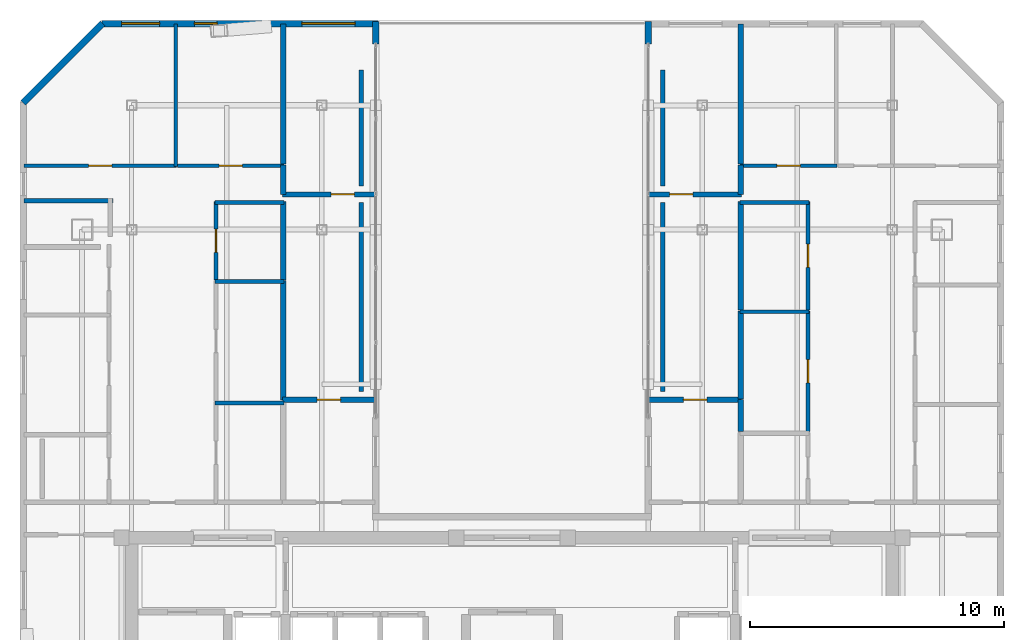
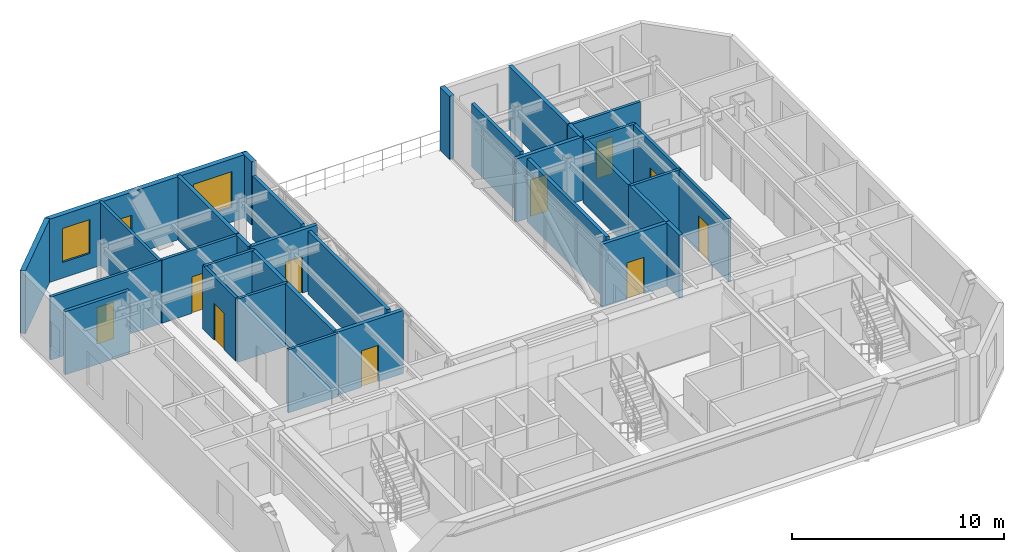
# One storey, part 11 of 14: 34 walls, 10 doors, 3 windows, 13 openings.
"""IFC4 building model written with IfcOpenShell, lengths in metres."""

from ifc_helpers import new_model, si_unit, direction, frame, frame_2d, origin, place, context, subcontext, project, spatial, rectangle, extrude, material, layer, layer_set, type_object, element, fill, save


model = new_model("IFC4")

# Units and contexts
model_context = context("Model", 3, precision=1e-05, world=origin(), true_north=direction((0.0, 1.0)))
body_context = subcontext(model_context, "Body", "Model", "MODEL_VIEW")
ifc_project = project(units=[si_unit("LENGTHUNIT", "METRE"), si_unit("AREAUNIT", "SQUARE_METRE"), si_unit("VOLUMEUNIT", "CUBIC_METRE"), si_unit("PLANEANGLEUNIT", "RADIAN"), si_unit("MASSUNIT", "GRAM", prefix="KILO")], contexts=[model_context])

# Site, building, storey
site_placement = place(None, origin())
site = spatial("IfcSite", under=ifc_project, at=site_placement, CompositionType="ELEMENT")
building_placement = place(site_placement, origin())
building = spatial("IfcBuilding", under=site, at=building_placement, Name="Ventersveld Concourse Tower", CompositionType="ELEMENT")
storey_placement = place(building_placement, frame((0.0, 0.0, 337.5)))
storey = spatial("IfcBuildingStorey", under=building, at=storey_placement, Name="L83", CompositionType="ELEMENT", Elevation=337.5)

# Walls
ifc_material_1 = material(Name="Fire-rated autoclaved aerated masonry blockwork", Category="masonry")
ifc_layer_1 = layer(ifc_material_1, 0.179931640625)
ifc_layer_set_1 = layer_set([ifc_layer_1], Name="Fire-rated autoclaved aerated masonry blockwork")
wall_type_1 = type_object("IfcWallType", Name="WL-CORR-180", PredefinedType="PARTITIONING", material=ifc_layer_set_1)
wall_1_placement = place(storey_placement, frame((22.800048828125, 24.6650390625, 0.0), z_axis=(0.0, 0.0, 1.0), x_axis=(0.0, -1.0, 0.0)))
element("IfcWall", 1, at=wall_1_placement, inside=storey, type_object=wall_type_1, Name="L83 Room Enclosure Wall SP-L83-WPLNG-WN1", PredefinedType="PARTITIONING", context=body_context, shape_type="SweptSolid", body=[
    extrude(rectangle(XDim=7.448486328125, YDim=0.179931640625, at=frame_2d((3.72412109375, 0.0))), origin(), (0.0, 0.0, 1.0), 3.6298828125),
])
wall_2_placement = place(storey_placement, frame((22.800048828125, 29.897216796875, 0.0), z_axis=(0.0, 0.0, 1.0), x_axis=(0.0, -1.0, 0.0)))
element("IfcWall", 2, at=wall_2_placement, inside=storey, type_object=wall_type_1, Name="L83 Room Enclosure Wall SP-L83-WPLNG-WN2", PredefinedType="PARTITIONING", context=body_context, shape_type="SweptSolid", body=[
    extrude(rectangle(XDim=4.582275390625, YDim=0.179931640625, at=frame_2d((2.291015625, 0.0))), origin(), (0.0, 0.0, 1.0), 3.6298828125),
])
wall_3_placement = place(storey_placement, frame((34.699951171875, 17.216552734375, 0.0), z_axis=(0.0, 0.0, 1.0), x_axis=(0.0, 1.0, 0.0)))
element("IfcWall", 3, at=wall_3_placement, inside=storey, type_object=wall_type_1, Name="L83 Room Enclosure Wall SP-L83-WPLNG-EN1", PredefinedType="PARTITIONING", context=body_context, shape_type="SweptSolid", body=[
    extrude(rectangle(XDim=7.448486328125, YDim=0.179931640625, at=frame_2d((3.72412109375, 0.0))), origin(), (0.0, 0.0, 1.0), 3.6298828125),
])
wall_4_placement = place(storey_placement, frame((34.699951171875, 25.31494140625, 0.0), z_axis=(0.0, 0.0, 1.0), x_axis=(0.0, 1.0, 0.0)))
element("IfcWall", 4, at=wall_4_placement, inside=storey, type_object=wall_type_1, Name="L83 Room Enclosure Wall SP-L83-WPLNG-EN2", PredefinedType="PARTITIONING", context=body_context, shape_type="SweptSolid", body=[
    extrude(rectangle(XDim=4.582275390625, YDim=0.179931640625, at=frame_2d((2.291015625, 0.0))), origin(), (0.0, 0.0, 1.0), 3.6298828125),
])
wall_5_placement = place(storey_placement, frame((13.009521484375, 24.73388671875, 0.0), z_axis=(0.0, 0.0, 1.0), x_axis=(-1.0, 0.0, 0.0)))
element("IfcWall", 5, at=wall_5_placement, inside=storey, type_object=wall_type_1, Name="L83 Room Enclosure Wall SP-L83-83WA-LIV", PredefinedType="PARTITIONING", context=body_context, shape_type="SweptSolid", body=[
    extrude(rectangle(XDim=3.51171875, YDim=0.179931640625, at=frame_2d((1.755859375, 0.0))), origin(), (0.0, 0.0, 1.0), 3.6298828125),
])

# Wall, opening, door
ifc_layer_2 = layer(ifc_material_1, 0.199951171875)
ifc_layer_set_2 = layer_set([ifc_layer_2], Name="Fire-rated autoclaved aerated masonry blockwork")
wall_type_2 = type_object("IfcWallType", Name="WL-DEMISE-200", PredefinedType="PARTITIONING", material=ifc_layer_set_2)
wall_6_placement = place(storey_placement, frame((19.705078125, 16.889892578125, 0.0), z_axis=(0.0, 0.0, 1.0), x_axis=(1.0, 0.0, 0.0)))
wall_6 = element("IfcWall", 6, at=wall_6_placement, inside=storey, type_object=wall_type_2, Name="L83 Interior Partition SP-L83-WPLNG-W-SP-L83-WPLNG-WN1", PredefinedType="PARTITIONING", context=body_context, shape_type="SweptSolid", body=[
    extrude(rectangle(XDim=3.64697265625, YDim=0.199951171875, at=frame_2d((1.823486328125, 0.0))), origin(), (0.0, 0.0, 1.0), 3.6298828125),
])
opening_1_placement = place(wall_6_placement, frame((1.363525390625, 0.0, 0.0)))
opening_1 = element("IfcOpeningElement", 7, at=opening_1_placement, cuts=wall_6, Name="Opening ID1", PredefinedType="OPENING", context=body_context, shape_type="SweptSolid", body=[
    extrude(rectangle(XDim=0.919921875, YDim=2.10009765625, at=frame_2d((0.4599609375, 1.050048828125))), frame((0.0, 0.10986328125, 0.0), z_axis=(0.0, -1.0, 0.0), x_axis=(1.0, 0.0, 0.0)), (0.0, 0.0, 1.0), 0.219970703125),
])
ifc_material_2 = material(Name="Solid-core hardwood veneer timber", Category="wood")
door_type = type_object("IfcDoorType", Name="DR-ROOM-092", OperationType="NOTDEFINED", PredefinedType="DOOR", material=ifc_material_2)
door_1_placement = place(opening_1_placement, origin())
door_1 = element("IfcDoor", 8, at=door_1_placement, inside=storey, type_object=door_type, Name="L83 Interior Door SP-L83-WPLNG-W to SP-L83-WPLNG-WN1 (D-L83-3747)", OperationType="SINGLE_SWING_LEFT", OverallHeight=2.10009765625, OverallWidth=0.919921875, PredefinedType="DOOR", context=body_context, shape_type="SweptSolid", body=[
    extrude(rectangle(XDim=0.919921875, YDim=2.10009765625, at=frame_2d((0.4599609375, 1.050048828125))), frame((0.0, 0.02490234375, 0.0), z_axis=(0.0, -1.0, 0.0), x_axis=(1.0, 0.0, 0.0)), (0.0, 0.0, 1.0), 0.050048828125),
])
fill(opening_1, door_1)

wall_7_placement = place(storey_placement, frame((19.705078125, 24.989990234375, 0.0), z_axis=(0.0, 0.0, 1.0), x_axis=(1.0, 0.0, 0.0)))
wall_7 = element("IfcWall", 9, at=wall_7_placement, inside=storey, type_object=wall_type_2, Name="L83 Interior Partition SP-L83-WPLNG-WN1-SP-L83-WPLNG-WN2", PredefinedType="PARTITIONING", context=body_context, shape_type="SweptSolid", body=[
    extrude(rectangle(XDim=3.645751953125, YDim=0.199951171875, at=frame_2d((1.82275390625, 0.0))), origin(), (0.0, 0.0, 1.0), 3.6298828125),
])
opening_2_placement = place(wall_7_placement, frame((1.909912109375, 0.0, 0.0)))
opening_2 = element("IfcOpeningElement", 10, at=opening_2_placement, cuts=wall_7, Name="Opening ID1", PredefinedType="OPENING", context=body_context, shape_type="SweptSolid", body=[
    extrude(rectangle(XDim=0.919921875, YDim=2.10009765625, at=frame_2d((0.4599609375, 1.050048828125))), frame((0.0, 0.10986328125, 0.0), z_axis=(0.0, -1.0, 0.0), x_axis=(1.0, 0.0, 0.0)), (0.0, 0.0, 1.0), 0.219970703125),
])
door_2_placement = place(opening_2_placement, origin())
door_2 = element("IfcDoor", 11, at=door_2_placement, inside=storey, type_object=door_type, Name="L83 Interior Door SP-L83-WPLNG-WN1 to SP-L83-WPLNG-WN2 (D-L83-3748)", OperationType="SINGLE_SWING_RIGHT", OverallHeight=2.10009765625, OverallWidth=0.919921875, PredefinedType="DOOR", context=body_context, shape_type="SweptSolid", body=[
    extrude(rectangle(XDim=0.919921875, YDim=2.10009765625, at=frame_2d((0.4599609375, 1.050048828125))), frame((0.0, 0.02490234375, 0.0), z_axis=(0.0, -1.0, 0.0), x_axis=(1.0, 0.0, 0.0)), (0.0, 0.0, 1.0), 0.050048828125),
])
fill(opening_2, door_2)

# Walls
wall_8_placement = place(storey_placement, frame((19.72998046875, 16.885009765625, 0.0), z_axis=(0.0, 0.0, 1.0), x_axis=(0.0, 1.0, 0.0)))
element("IfcWall", 12, at=wall_8_placement, inside=storey, type_object=wall_type_2, Name="L83 Interior Partition SP-L83-WPLNG-WN1-SP-L83-83WA-MEDR1", PredefinedType="PARTITIONING", context=body_context, shape_type="SweptSolid", body=[
    extrude(rectangle(XDim=4.698486328125, YDim=0.199951171875, at=frame_2d((2.34912109375, 0.0))), origin(), (0.0, 0.0, 1.0), 3.6298828125),
])
wall_9_placement = place(storey_placement, frame((19.72998046875, 21.613525390625, 0.0), z_axis=(0.0, 0.0, 1.0), x_axis=(0.0, 1.0, 0.0)))
element("IfcWall", 13, at=wall_9_placement, inside=storey, type_object=wall_type_2, Name="L83 Interior Partition SP-L83-WPLNG-WN1-SP-L83-83WA-SEMR3", PredefinedType="PARTITIONING", context=body_context, shape_type="SweptSolid", body=[
    extrude(rectangle(XDim=3.09521484375, YDim=0.199951171875, at=frame_2d((1.547607421875, 0.0))), origin(), (0.0, 0.0, 1.0), 3.6298828125),
])
wall_10_placement = place(storey_placement, frame((19.72998046875, 24.985107421875, 0.0), z_axis=(0.0, 0.0, 1.0), x_axis=(0.0, 1.0, 0.0)))
element("IfcWall", 14, at=wall_10_placement, inside=storey, type_object=wall_type_2, Name="L83 Interior Partition SP-L83-WPLNG-WN2-SP-L83-83WA-LIV", PredefinedType="PARTITIONING", context=body_context, shape_type="SweptSolid", body=[
    extrude(rectangle(XDim=1.16357421875, YDim=0.199951171875, at=frame_2d((0.581787109375, 0.0))), origin(), (0.0, 0.0, 1.0), 3.6298828125),
])
wall_11_placement = place(storey_placement, frame((19.72998046875, 26.1787109375, 0.0), z_axis=(0.0, 0.0, 1.0), x_axis=(0.0, 1.0, 0.0)))
element("IfcWall", 15, at=wall_11_placement, inside=storey, type_object=wall_type_2, Name="L83 Interior Partition SP-L83-WPLNG-WN2-SP-L83-83WA-BR2", PredefinedType="PARTITIONING", context=body_context, shape_type="SweptSolid", body=[
    extrude(rectangle(XDim=5.525634765625, YDim=0.199951171875, at=frame_2d((2.7626953125, 0.0))), origin(), (0.0, 0.0, 1.0), 3.6298828125),
])

# Wall, opening, door
wall_12_placement = place(storey_placement, frame((34.14794921875, 16.889892578125, 0.0), z_axis=(0.0, 0.0, 1.0), x_axis=(1.0, 0.0, 0.0)))
wall_12 = element("IfcWall", 16, at=wall_12_placement, inside=storey, type_object=wall_type_2, Name="L83 Interior Partition SP-L83-WPLNG-E-SP-L83-WPLNG-EN1", PredefinedType="PARTITIONING", context=body_context, shape_type="SweptSolid", body=[
    extrude(rectangle(XDim=3.64697265625, YDim=0.199951171875, at=frame_2d((1.823486328125, 0.0))), origin(), (0.0, 0.0, 1.0), 3.6298828125),
])
opening_3_placement = place(wall_12_placement, frame((1.363525390625, 0.0, 0.0)))
opening_3 = element("IfcOpeningElement", 17, at=opening_3_placement, cuts=wall_12, Name="Opening ID1", PredefinedType="OPENING", context=body_context, shape_type="SweptSolid", body=[
    extrude(rectangle(XDim=0.919921875, YDim=2.10009765625, at=frame_2d((0.4599609375, 1.050048828125))), frame((0.0, 0.10986328125, 0.0), z_axis=(0.0, -1.0, 0.0), x_axis=(1.0, 0.0, 0.0)), (0.0, 0.0, 1.0), 0.219970703125),
])
door_3_placement = place(opening_3_placement, origin())
door_3 = element("IfcDoor", 18, at=door_3_placement, inside=storey, type_object=door_type, Name="L83 Interior Door SP-L83-WPLNG-E to SP-L83-WPLNG-EN1 (D-L83-3749)", OperationType="SINGLE_SWING_LEFT", OverallHeight=2.10009765625, OverallWidth=0.919921875, PredefinedType="DOOR", context=body_context, shape_type="SweptSolid", body=[
    extrude(rectangle(XDim=0.919921875, YDim=2.10009765625, at=frame_2d((0.4599609375, 1.050048828125))), frame((0.0, 0.02490234375, 0.0), z_axis=(0.0, -1.0, 0.0), x_axis=(1.0, 0.0, 0.0)), (0.0, 0.0, 1.0), 0.050048828125),
])
fill(opening_3, door_3)

# Wall
wall_13_placement = place(storey_placement, frame((37.77001953125, 15.636962890625, 0.0), z_axis=(0.0, 0.0, 1.0), x_axis=(0.0, 1.0, 0.0)))
element("IfcWall", 19, at=wall_13_placement, inside=storey, type_object=wall_type_2, Name="L83 Interior Partition SP-L83-WPLNG-E-SP-L83-83EB-MEDL0", PredefinedType="PARTITIONING", context=body_context, shape_type="SweptSolid", body=[
    extrude(rectangle(XDim=1.258056640625, YDim=0.199951171875, at=frame_2d((0.62890625, 0.0))), origin(), (0.0, 0.0, 1.0), 3.6298828125),
])

# Wall, opening, door
wall_14_placement = place(storey_placement, frame((34.149169921875, 24.989990234375, 0.0), z_axis=(0.0, 0.0, 1.0), x_axis=(1.0, 0.0, 0.0)))
wall_14 = element("IfcWall", 20, at=wall_14_placement, inside=storey, type_object=wall_type_2, Name="L83 Interior Partition SP-L83-WPLNG-EN1-SP-L83-WPLNG-EN2", PredefinedType="PARTITIONING", context=body_context, shape_type="SweptSolid", body=[
    extrude(rectangle(XDim=3.645751953125, YDim=0.199951171875, at=frame_2d((1.82275390625, 0.0))), origin(), (0.0, 0.0, 1.0), 3.6298828125),
])
opening_4_placement = place(wall_14_placement, frame((0.81591796875, 0.0, 0.0)))
opening_4 = element("IfcOpeningElement", 21, at=opening_4_placement, cuts=wall_14, Name="Opening ID1", PredefinedType="OPENING", context=body_context, shape_type="SweptSolid", body=[
    extrude(rectangle(XDim=0.919921875, YDim=2.10009765625, at=frame_2d((0.4599609375, 1.050048828125))), frame((0.0, 0.10986328125, 0.0), z_axis=(0.0, -1.0, 0.0), x_axis=(1.0, 0.0, 0.0)), (0.0, 0.0, 1.0), 0.219970703125),
])
door_4_placement = place(opening_4_placement, origin())
door_4 = element("IfcDoor", 22, at=door_4_placement, inside=storey, type_object=door_type, Name="L83 Interior Door SP-L83-WPLNG-EN1 to SP-L83-WPLNG-EN2 (D-L83-3750)", OperationType="SINGLE_SWING_RIGHT", OverallHeight=2.10009765625, OverallWidth=0.919921875, PredefinedType="DOOR", context=body_context, shape_type="SweptSolid", body=[
    extrude(rectangle(XDim=0.919921875, YDim=2.10009765625, at=frame_2d((0.4599609375, 1.050048828125))), frame((0.0, 0.02490234375, 0.0), z_axis=(0.0, -1.0, 0.0), x_axis=(1.0, 0.0, 0.0)), (0.0, 0.0, 1.0), 0.050048828125),
])
fill(opening_4, door_4)

# Walls
wall_15_placement = place(storey_placement, frame((37.77001953125, 16.925048828125, 0.0), z_axis=(0.0, 0.0, 1.0), x_axis=(0.0, 1.0, 0.0)))
element("IfcWall", 23, at=wall_15_placement, inside=storey, type_object=wall_type_2, Name="L83 Interior Partition SP-L83-WPLNG-EN1-SP-L83-83EB-MEDL0", PredefinedType="PARTITIONING", context=body_context, shape_type="SweptSolid", body=[
    extrude(rectangle(XDim=3.4716796875, YDim=0.199951171875, at=frame_2d((1.73583984375, 0.0))), origin(), (0.0, 0.0, 1.0), 3.6298828125),
])
wall_16_placement = place(storey_placement, frame((37.77001953125, 20.4267578125, 0.0), z_axis=(0.0, 0.0, 1.0), x_axis=(0.0, 1.0, 0.0)))
element("IfcWall", 24, at=wall_16_placement, inside=storey, type_object=wall_type_2, Name="L83 Interior Partition SP-L83-WPLNG-EN1-SP-L83-83EB-MEDL2", PredefinedType="PARTITIONING", context=body_context, shape_type="SweptSolid", body=[
    extrude(rectangle(XDim=4.281982421875, YDim=0.199951171875, at=frame_2d((2.14111328125, 0.0))), origin(), (0.0, 0.0, 1.0), 3.6298828125),
])
wall_17_placement = place(storey_placement, frame((37.77001953125, 24.985107421875, 0.0), z_axis=(0.0, 0.0, 1.0), x_axis=(0.0, 1.0, 0.0)))
element("IfcWall", 25, at=wall_17_placement, inside=storey, type_object=wall_type_2, Name="L83 Interior Partition SP-L83-WPLNG-EN2-SP-L83-83EB-LIV", PredefinedType="PARTITIONING", context=body_context, shape_type="SweptSolid", body=[
    extrude(rectangle(XDim=1.16357421875, YDim=0.199951171875, at=frame_2d((0.581787109375, 0.0))), origin(), (0.0, 0.0, 1.0), 3.6298828125),
])
wall_18_placement = place(storey_placement, frame((37.77001953125, 26.1787109375, 0.0), z_axis=(0.0, 0.0, 1.0), x_axis=(0.0, 1.0, 0.0)))
element("IfcWall", 26, at=wall_18_placement, inside=storey, type_object=wall_type_2, Name="L83 Interior Partition SP-L83-WPLNG-EN2-SP-L83-83EB-BR1", PredefinedType="PARTITIONING", context=body_context, shape_type="SweptSolid", body=[
    extrude(rectangle(XDim=5.525634765625, YDim=0.199951171875, at=frame_2d((2.7626953125, 0.0))), origin(), (0.0, 0.0, 1.0), 3.6298828125),
])

# Wall, opening, door
ifc_material_3 = material(Name="Autoclaved aerated masonry blockwork", Category="masonry")
ifc_layer_3 = layer(ifc_material_3, 0.14990234375)
ifc_layer_set_3 = layer_set([ifc_layer_3], Name="Autoclaved aerated masonry blockwork")
wall_type_3 = type_object("IfcWallType", Name="WL-INT-150", PredefinedType="PARTITIONING", material=ifc_layer_set_3)
wall_19_placement = place(storey_placement, frame((17.072998046875, 21.613525390625, 0.0), z_axis=(0.0, 0.0, 1.0), x_axis=(0.0, 1.0, 0.0)))
wall_19 = element("IfcWall", 27, at=wall_19_placement, inside=storey, type_object=wall_type_3, Name="L83 Interior Partition SP-L83-83WA-LIV-SP-L83-83WA-SEMR3", PredefinedType="PARTITIONING", context=body_context, shape_type="SweptSolid", body=[
    extrude(rectangle(XDim=3.09521484375, YDim=0.14990234375, at=frame_2d((1.547607421875, 0.0))), origin(), (0.0, 0.0, 1.0), 3.6298828125),
])
opening_5_placement = place(wall_19_placement, frame((1.087646484375, 0.0, 0.0)))
opening_5 = element("IfcOpeningElement", 28, at=opening_5_placement, cuts=wall_19, Name="Opening ID1", PredefinedType="OPENING", context=body_context, shape_type="SweptSolid", body=[
    extrude(rectangle(XDim=0.919921875, YDim=2.10009765625, at=frame_2d((0.4599609375, 1.050048828125))), frame((0.0, 0.0849609375, 0.0), z_axis=(0.0, -1.0, 0.0), x_axis=(1.0, 0.0, 0.0)), (0.0, 0.0, 1.0), 0.169921875),
])
door_5_placement = place(opening_5_placement, origin())
door_5 = element("IfcDoor", 29, at=door_5_placement, inside=storey, type_object=door_type, Name="L83 Interior Door SP-L83-83WA-LIV to SP-L83-83WA-SEMR3 (D-L83-3756)", OperationType="SINGLE_SWING_RIGHT", OverallHeight=2.10009765625, OverallWidth=0.919921875, PredefinedType="DOOR", context=body_context, shape_type="SweptSolid", body=[
    extrude(rectangle(XDim=0.919921875, YDim=2.10009765625, at=frame_2d((0.4599609375, 1.050048828125))), frame((0.0, 0.02490234375, 0.0), z_axis=(0.0, -1.0, 0.0), x_axis=(1.0, 0.0, 0.0)), (0.0, 0.0, 1.0), 0.050048828125),
])
fill(opening_5, door_5)

# Wall
wall_20_placement = place(storey_placement, frame((17.0380859375, 24.673828125, 0.0), z_axis=(0.0, 0.0, 1.0), x_axis=(1.0, 0.0, 0.0)))
element("IfcWall", 30, at=wall_20_placement, inside=storey, type_object=wall_type_3, Name="L83 Interior Partition SP-L83-83WA-LIV-SP-L83-83WA-SEMR3", PredefinedType="PARTITIONING", context=body_context, shape_type="SweptSolid", body=[
    extrude(rectangle(XDim=2.716796875, YDim=0.14990234375, at=frame_2d((1.3583984375, 0.0))), origin(), (0.0, 0.0, 1.0), 3.6298828125),
])

# Wall, opening, door
wall_21_placement = place(storey_placement, frame((9.497802734375, 26.11376953125, 0.0), z_axis=(0.0, 0.0, 1.0), x_axis=(1.0, 0.0, 0.0)))
wall_21 = element("IfcWall", 31, at=wall_21_placement, inside=storey, type_object=wall_type_3, Name="L83 Interior Partition SP-L83-83WA-LIV-SP-L83-83WA-BR1", PredefinedType="PARTITIONING", context=body_context, shape_type="SweptSolid", body=[
    extrude(rectangle(XDim=6.029052734375, YDim=0.14990234375, at=frame_2d((3.0146484375, 0.0))), origin(), (0.0, 0.0, 1.0), 3.6298828125),
])
opening_6_placement = place(wall_21_placement, frame((2.554443359375, 0.0, 0.0)))
opening_6 = element("IfcOpeningElement", 32, at=opening_6_placement, cuts=wall_21, Name="Opening ID1", PredefinedType="OPENING", context=body_context, shape_type="SweptSolid", body=[
    extrude(rectangle(XDim=0.919921875, YDim=2.10009765625, at=frame_2d((0.4599609375, 1.050048828125))), frame((0.0, 0.0849609375, 0.0), z_axis=(0.0, -1.0, 0.0), x_axis=(1.0, 0.0, 0.0)), (0.0, 0.0, 1.0), 0.169921875),
])
door_6_placement = place(opening_6_placement, origin())
door_6 = element("IfcDoor", 33, at=door_6_placement, inside=storey, type_object=door_type, Name="L83 Interior Door SP-L83-83WA-LIV to SP-L83-83WA-BR1 (D-L83-3757)", OperationType="SINGLE_SWING_LEFT", OverallHeight=2.10009765625, OverallWidth=0.919921875, PredefinedType="DOOR", context=body_context, shape_type="SweptSolid", body=[
    extrude(rectangle(XDim=0.919921875, YDim=2.10009765625, at=frame_2d((0.4599609375, 1.050048828125))), frame((0.0, 0.02490234375, 0.0), z_axis=(0.0, -1.0, 0.0), x_axis=(1.0, 0.0, 0.0)), (0.0, 0.0, 1.0), 0.050048828125),
])
fill(opening_6, door_6)

wall_22_placement = place(storey_placement, frame((15.556884765625, 26.11376953125, 0.0), z_axis=(0.0, 0.0, 1.0), x_axis=(1.0, 0.0, 0.0)))
wall_22 = element("IfcWall", 34, at=wall_22_placement, inside=storey, type_object=wall_type_3, Name="L83 Interior Partition SP-L83-83WA-LIV-SP-L83-83WA-BR2", PredefinedType="PARTITIONING", context=body_context, shape_type="SweptSolid", body=[
    extrude(rectangle(XDim=4.197998046875, YDim=0.14990234375, at=frame_2d((2.09912109375, 0.0))), origin(), (0.0, 0.0, 1.0), 3.6298828125),
])
opening_7_placement = place(wall_22_placement, frame((1.63916015625, 0.0, 0.0)))
opening_7 = element("IfcOpeningElement", 35, at=opening_7_placement, cuts=wall_22, Name="Opening ID1", PredefinedType="OPENING", context=body_context, shape_type="SweptSolid", body=[
    extrude(rectangle(XDim=0.919921875, YDim=2.10009765625, at=frame_2d((0.4599609375, 1.050048828125))), frame((0.0, 0.0849609375, 0.0), z_axis=(0.0, -1.0, 0.0), x_axis=(1.0, 0.0, 0.0)), (0.0, 0.0, 1.0), 0.169921875),
])
door_7_placement = place(opening_7_placement, origin())
door_7 = element("IfcDoor", 36, at=door_7_placement, inside=storey, type_object=door_type, Name="L83 Interior Door SP-L83-83WA-LIV to SP-L83-83WA-BR2 (D-L83-3758)", OperationType="SINGLE_SWING_RIGHT", OverallHeight=2.10009765625, OverallWidth=0.919921875, PredefinedType="DOOR", context=body_context, shape_type="SweptSolid", body=[
    extrude(rectangle(XDim=0.919921875, YDim=2.10009765625, at=frame_2d((0.4599609375, 1.050048828125))), frame((0.0, 0.02490234375, 0.0), z_axis=(0.0, -1.0, 0.0), x_axis=(1.0, 0.0, 0.0)), (0.0, 0.0, 1.0), 0.050048828125),
])
fill(opening_7, door_7)

# Walls
for number, where, z_axis, x_axis, name in (
    (37, (17.0380859375, 16.759033203125, 0.0), (0.0, 0.0, 1.0), (1.0, 0.0, 0.0), "L83 Interior Partition SP-L83-83WA-KIT-SP-L83-83WA-MEDR1"),
    (38, (17.0380859375, 21.548583984375, 0.0), (0.0, 0.0, 1.0), (1.0, 0.0, 0.0), "L83 Interior Partition SP-L83-83WA-MEDR1-SP-L83-83WA-SEMR3"),
):
    element("IfcWall", number, at=place(storey_placement, frame(where, z_axis=z_axis, x_axis=x_axis)), inside=storey, type_object=wall_type_3, Name=name, PredefinedType="PARTITIONING", context=body_context, shape_type="SweptSolid", body=[
        extrude(rectangle(XDim=2.716796875, YDim=0.14990234375, at=frame_2d((1.3583984375, 0.0))), origin(), (0.0, 0.0, 1.0), 3.6298828125),
    ])
wall_23_placement = place(storey_placement, frame((15.491943359375, 26.078857421875, 0.0), z_axis=(0.0, 0.0, 1.0), x_axis=(0.0, 1.0, 0.0)))
element("IfcWall", 39, at=wall_23_placement, inside=storey, type_object=wall_type_3, Name="L83 Interior Partition SP-L83-83WA-BR1-SP-L83-83WA-BR2", PredefinedType="PARTITIONING", context=body_context, shape_type="SweptSolid", body=[
    extrude(rectangle(XDim=5.62548828125, YDim=0.14990234375, at=frame_2d((2.812744140625, 0.0))), origin(), (0.0, 0.0, 1.0), 3.6298828125),
])

# Wall, opening, door
wall_24_placement = place(storey_placement, frame((40.427001953125, 15.636962890625, 0.0), z_axis=(0.0, 0.0, 1.0), x_axis=(0.0, 1.0, 0.0)))
wall_24 = element("IfcWall", 40, at=wall_24_placement, inside=storey, type_object=wall_type_3, Name="L83 Interior Partition SP-L83-83EB-LIV-SP-L83-83EB-MEDL0", PredefinedType="PARTITIONING", context=body_context, shape_type="SweptSolid", body=[
    extrude(rectangle(XDim=4.759765625, YDim=0.14990234375, at=frame_2d((2.3798828125, 0.0))), origin(), (0.0, 0.0, 1.0), 3.6298828125),
])
opening_8_placement = place(wall_24_placement, frame((1.919921875, 0.0, 0.0)))
opening_8 = element("IfcOpeningElement", 41, at=opening_8_placement, cuts=wall_24, Name="Opening ID1", PredefinedType="OPENING", context=body_context, shape_type="SweptSolid", body=[
    extrude(rectangle(XDim=0.919921875, YDim=2.10009765625, at=frame_2d((0.4599609375, 1.050048828125))), frame((0.0, 0.0849609375, 0.0), z_axis=(0.0, -1.0, 0.0), x_axis=(1.0, 0.0, 0.0)), (0.0, 0.0, 1.0), 0.169921875),
])
door_8_placement = place(opening_8_placement, origin())
door_8 = element("IfcDoor", 42, at=door_8_placement, inside=storey, type_object=door_type, Name="L83 Interior Door SP-L83-83EB-LIV to SP-L83-83EB-MEDL0 (D-L83-3760)", OperationType="SINGLE_SWING_RIGHT", OverallHeight=2.10009765625, OverallWidth=0.919921875, PredefinedType="DOOR", context=body_context, shape_type="SweptSolid", body=[
    extrude(rectangle(XDim=0.919921875, YDim=2.10009765625, at=frame_2d((0.4599609375, 1.050048828125))), frame((0.0, 0.02490234375, 0.0), z_axis=(0.0, -1.0, 0.0), x_axis=(1.0, 0.0, 0.0)), (0.0, 0.0, 1.0), 0.050048828125),
])
fill(opening_8, door_8)

wall_25_placement = place(storey_placement, frame((40.427001953125, 20.4267578125, 0.0), z_axis=(0.0, 0.0, 1.0), x_axis=(0.0, 1.0, 0.0)))
wall_25 = element("IfcWall", 43, at=wall_25_placement, inside=storey, type_object=wall_type_3, Name="L83 Interior Partition SP-L83-83EB-LIV-SP-L83-83EB-MEDL2", PredefinedType="PARTITIONING", context=body_context, shape_type="SweptSolid", body=[
    extrude(rectangle(XDim=4.281982421875, YDim=0.14990234375, at=frame_2d((2.14111328125, 0.0))), origin(), (0.0, 0.0, 1.0), 3.6298828125),
])
opening_9_placement = place(wall_25_placement, frame((1.680908203125, 0.0, 0.0)))
opening_9 = element("IfcOpeningElement", 44, at=opening_9_placement, cuts=wall_25, Name="Opening ID1", PredefinedType="OPENING", context=body_context, shape_type="SweptSolid", body=[
    extrude(rectangle(XDim=0.919921875, YDim=2.10009765625, at=frame_2d((0.4599609375, 1.050048828125))), frame((0.0, 0.0849609375, 0.0), z_axis=(0.0, -1.0, 0.0), x_axis=(1.0, 0.0, 0.0)), (0.0, 0.0, 1.0), 0.169921875),
])
door_9_placement = place(opening_9_placement, origin())
door_9 = element("IfcDoor", 45, at=door_9_placement, inside=storey, type_object=door_type, Name="L83 Interior Door SP-L83-83EB-LIV to SP-L83-83EB-MEDL2 (D-L83-3761)", OperationType="SINGLE_SWING_LEFT", OverallHeight=2.10009765625, OverallWidth=0.919921875, PredefinedType="DOOR", context=body_context, shape_type="SweptSolid", body=[
    extrude(rectangle(XDim=0.919921875, YDim=2.10009765625, at=frame_2d((0.4599609375, 1.050048828125))), frame((0.0, 0.02490234375, 0.0), z_axis=(0.0, -1.0, 0.0), x_axis=(1.0, 0.0, 0.0)), (0.0, 0.0, 1.0), 0.050048828125),
])
fill(opening_9, door_9)

# Wall
wall_26_placement = place(storey_placement, frame((37.7451171875, 24.673828125, 0.0), z_axis=(0.0, 0.0, 1.0), x_axis=(1.0, 0.0, 0.0)))
element("IfcWall", 46, at=wall_26_placement, inside=storey, type_object=wall_type_3, Name="L83 Interior Partition SP-L83-83EB-LIV-SP-L83-83EB-MEDL2", PredefinedType="PARTITIONING", context=body_context, shape_type="SweptSolid", body=[
    extrude(rectangle(XDim=2.716796875, YDim=0.14990234375, at=frame_2d((1.3583984375, 0.0))), origin(), (0.0, 0.0, 1.0), 3.6298828125),
])

# Wall, opening, door
wall_27_placement = place(storey_placement, frame((37.7451171875, 26.11376953125, 0.0), z_axis=(0.0, 0.0, 1.0), x_axis=(1.0, 0.0, 0.0)))
wall_27 = element("IfcWall", 47, at=wall_27_placement, inside=storey, type_object=wall_type_3, Name="L83 Interior Partition SP-L83-83EB-LIV-SP-L83-83EB-BR1", PredefinedType="PARTITIONING", context=body_context, shape_type="SweptSolid", body=[
    extrude(rectangle(XDim=3.828125, YDim=0.14990234375, at=frame_2d((1.9140625, 0.0))), origin(), (0.0, 0.0, 1.0), 3.6298828125),
])
opening_10_placement = place(wall_27_placement, frame((1.4541015625, 0.0, 0.0)))
opening_10 = element("IfcOpeningElement", 48, at=opening_10_placement, cuts=wall_27, Name="Opening ID1", PredefinedType="OPENING", context=body_context, shape_type="SweptSolid", body=[
    extrude(rectangle(XDim=0.919921875, YDim=2.10009765625, at=frame_2d((0.4599609375, 1.050048828125))), frame((0.0, 0.0849609375, 0.0), z_axis=(0.0, -1.0, 0.0), x_axis=(1.0, 0.0, 0.0)), (0.0, 0.0, 1.0), 0.169921875),
])
door_10_placement = place(opening_10_placement, origin())
door_10 = element("IfcDoor", 49, at=door_10_placement, inside=storey, type_object=door_type, Name="L83 Interior Door SP-L83-83EB-LIV to SP-L83-83EB-BR1 (D-L83-3765)", OperationType="SINGLE_SWING_LEFT", OverallHeight=2.10009765625, OverallWidth=0.919921875, PredefinedType="DOOR", context=body_context, shape_type="SweptSolid", body=[
    extrude(rectangle(XDim=0.919921875, YDim=2.10009765625, at=frame_2d((0.4599609375, 1.050048828125))), frame((0.0, 0.02490234375, 0.0), z_axis=(0.0, -1.0, 0.0), x_axis=(1.0, 0.0, 0.0)), (0.0, 0.0, 1.0), 0.050048828125),
])
fill(opening_10, door_10)

# Walls
wall_28_placement = place(storey_placement, frame((37.7451171875, 20.36181640625, 0.0), z_axis=(0.0, 0.0, 1.0), x_axis=(1.0, 0.0, 0.0)))
element("IfcWall", 50, at=wall_28_placement, inside=storey, type_object=wall_type_3, Name="L83 Interior Partition SP-L83-83EB-MEDL0-SP-L83-83EB-MEDL2", PredefinedType="PARTITIONING", context=body_context, shape_type="SweptSolid", body=[
    extrude(rectangle(XDim=2.716796875, YDim=0.14990234375, at=frame_2d((1.3583984375, 0.0))), origin(), (0.0, 0.0, 1.0), 3.6298828125),
])
ifc_material_4 = material(Name="Precast concrete C45/55", Category="concrete")
ifc_layer_4 = layer(ifc_material_4, 0.260009765625)
ifc_layer_set_4 = layer_set([ifc_layer_4], Name="Precast concrete C45/55")
wall_type_4 = type_object("IfcWallType", Name="WL-PREC-260", PredefinedType="SOLIDWALL", material=ifc_layer_set_4)
for number, where, z_axis, x_axis, name in (
    (51, (34.1298828125, 30.913818359375, 0.0), (0.0, 0.0, 1.0), (0.0, 1.0, 0.0), "L83 Wind Portal North Cheek Pier"),
    (52, (23.3701171875, 30.913818359375, 0.0), (0.0, 0.0, 1.0), (0.0, 1.0, 0.0), "L83 Wind Portal North Cheek Pier"),
):
    element("IfcWall", number, at=place(storey_placement, frame(where, z_axis=z_axis, x_axis=x_axis)), inside=storey, type_object=wall_type_4, Name=name, PredefinedType="SOLIDWALL", context=body_context, shape_type="SweptSolid", body=[
        extrude(rectangle(XDim=0.89990234375, YDim=0.260009765625, at=frame_2d((0.449951171875, 0.0))), origin(), (0.0, 0.0, 1.0), 3.6298828125),
    ])

# Wall, openings, windows
wall_29_placement = place(storey_placement, frame((23.4599609375, 31.723876953125, 0.0), z_axis=(0.0, 0.0, 1.0), x_axis=(-1.0, 0.0, 0.0)))
wall_29 = element("IfcWall", 53, at=wall_29_placement, inside=storey, type_object=wall_type_4, Name="L83 Highveld Precast Facade Wall E09", PredefinedType="SOLIDWALL", context=body_context, shape_type="SweptSolid", body=[
    extrude(rectangle(XDim=10.87158203125, YDim=0.260009765625, at=frame_2d((5.435791015625, 0.0))), origin(), (0.0, 0.0, 1.0), 3.6298828125),
])
opening_11_placement = place(wall_29_placement, frame((0.893310546875, 0.0, 0.85009765625)))
opening_11 = element("IfcOpeningElement", 54, at=opening_11_placement, cuts=wall_29, Name="Opening W7", PredefinedType="OPENING", context=body_context, shape_type="SweptSolid", body=[
    extrude(rectangle(XDim=2.10009765625, YDim=2.050048828125, at=frame_2d((1.050048828125, 1.02490234375))), frame((0.0, 0.14013671875, 0.0), z_axis=(0.0, -1.0, 0.0), x_axis=(1.0, 0.0, 0.0)), (0.0, 0.0, 1.0), 0.280029296875),
])
opening_12_placement = place(wall_29_placement, frame((8.6015625, 0.0, 0.89990234375)))
opening_12 = element("IfcOpeningElement", 55, at=opening_12_placement, cuts=wall_29, Name="Opening W1", PredefinedType="OPENING", context=body_context, shape_type="SweptSolid", body=[
    extrude(rectangle(XDim=1.5, YDim=1.949951171875, at=frame_2d((0.75, 0.97509765625))), frame((0.0, 0.14013671875, 0.0), z_axis=(0.0, -1.0, 0.0), x_axis=(1.0, 0.0, 0.0)), (0.0, 0.0, 1.0), 0.280029296875),
])
opening_13_placement = place(wall_29_placement, frame((6.3359375, 0.0, 0.89990234375)))
opening_13 = element("IfcOpeningElement", 56, at=opening_13_placement, cuts=wall_29, Name="Opening W8", PredefinedType="OPENING", context=body_context, shape_type="SweptSolid", body=[
    extrude(rectangle(XDim=0.89990234375, YDim=1.39990234375, at=frame_2d((0.449951171875, 0.699951171875))), frame((0.0, 0.14013671875, 0.0), z_axis=(0.0, -1.0, 0.0), x_axis=(1.0, 0.0, 0.0)), (0.0, 0.0, 1.0), 0.280029296875),
])
ifc_material_5 = material(Name="Tempered acoustic Low-E IGU", Category="glass")
window_type_1 = type_object("IfcWindowType", Name="WIN-090x140", PartitioningType="SINGLE_PANEL", PredefinedType="WINDOW", material=ifc_material_5)
window_1_placement = place(opening_13_placement, origin())
window_1 = element("IfcWindow", 57, at=window_1_placement, inside=storey, type_object=window_type_1, Name="L83 Punched Low-E Window W-1166", OverallHeight=1.39990234375, OverallWidth=0.89990234375, PartitioningType="SINGLE_PANEL", PredefinedType="WINDOW", context=body_context, shape_type="SweptSolid", body=[
    extrude(rectangle(XDim=0.89990234375, YDim=1.39990234375, at=frame_2d((0.449951171875, 0.699951171875))), frame((0.0, 0.030029296875, 0.0), z_axis=(0.0, -1.0, 0.0), x_axis=(1.0, 0.0, 0.0)), (0.0, 0.0, 1.0), 0.06005859375),
])
fill(opening_13, window_1)
window_type_2 = type_object("IfcWindowType", Name="WIN-150x210", PartitioningType="SINGLE_PANEL", PredefinedType="WINDOW", material=ifc_material_5)
window_2_placement = place(opening_12_placement, origin())
window_2 = element("IfcWindow", 58, at=window_2_placement, inside=storey, type_object=window_type_2, Name="L83 Punched Low-E Window W-1165", OverallHeight=1.949951171875, OverallWidth=1.5, PartitioningType="SINGLE_PANEL", PredefinedType="WINDOW", context=body_context, shape_type="SweptSolid", body=[
    extrude(rectangle(XDim=1.5, YDim=1.949951171875, at=frame_2d((0.75, 0.97509765625))), frame((0.0, 0.030029296875, 0.0), z_axis=(0.0, -1.0, 0.0), x_axis=(1.0, 0.0, 0.0)), (0.0, 0.0, 1.0), 0.06005859375),
])
fill(opening_12, window_2)
window_type_3 = type_object("IfcWindowType", Name="WIN-210x205", PartitioningType="SINGLE_PANEL", PredefinedType="WINDOW", material=ifc_material_5)
window_3_placement = place(opening_11_placement, origin())
window_3 = element("IfcWindow", 59, at=window_3_placement, inside=storey, type_object=window_type_3, Name="L83 Punched Low-E Window W-1160", OverallHeight=2.050048828125, OverallWidth=2.10009765625, PartitioningType="SINGLE_PANEL", PredefinedType="WINDOW", context=body_context, shape_type="SweptSolid", body=[
    extrude(rectangle(XDim=2.10009765625, YDim=2.050048828125, at=frame_2d((1.050048828125, 1.02490234375))), frame((0.0, 0.030029296875, 0.0), z_axis=(0.0, -1.0, 0.0), x_axis=(1.0, 0.0, 0.0)), (0.0, 0.0, 1.0), 0.06005859375),
])
fill(opening_11, window_3)

# Wall
wall_30_placement = place(storey_placement, frame((12.612060546875, 31.733642578125, 0.0), z_axis=(0.0, 0.0, 1.0), x_axis=(-0.707106781187, -0.707106781187, 0.0)))
element("IfcWall", 60, at=wall_30_placement, inside=storey, type_object=wall_type_4, Name="L83 Highveld Precast Facade Wall E10", PredefinedType="SOLIDWALL", context=body_context, shape_type="SweptSolid", body=[
    extrude(rectangle(XDim=4.445556640625, YDim=0.260009765625, at=frame_2d((2.22265625, 0.0))), origin(), (0.0, 0.0, 1.0), 3.6298828125),
])

save(model, "model.ifc")
